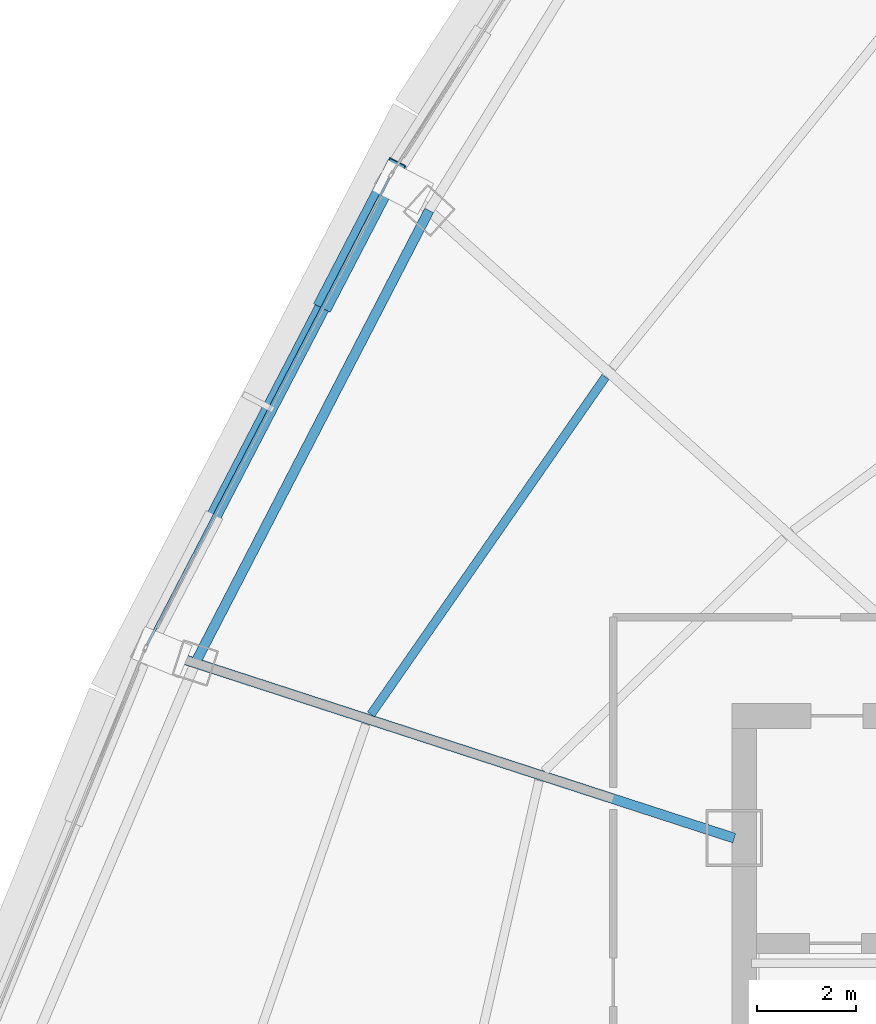
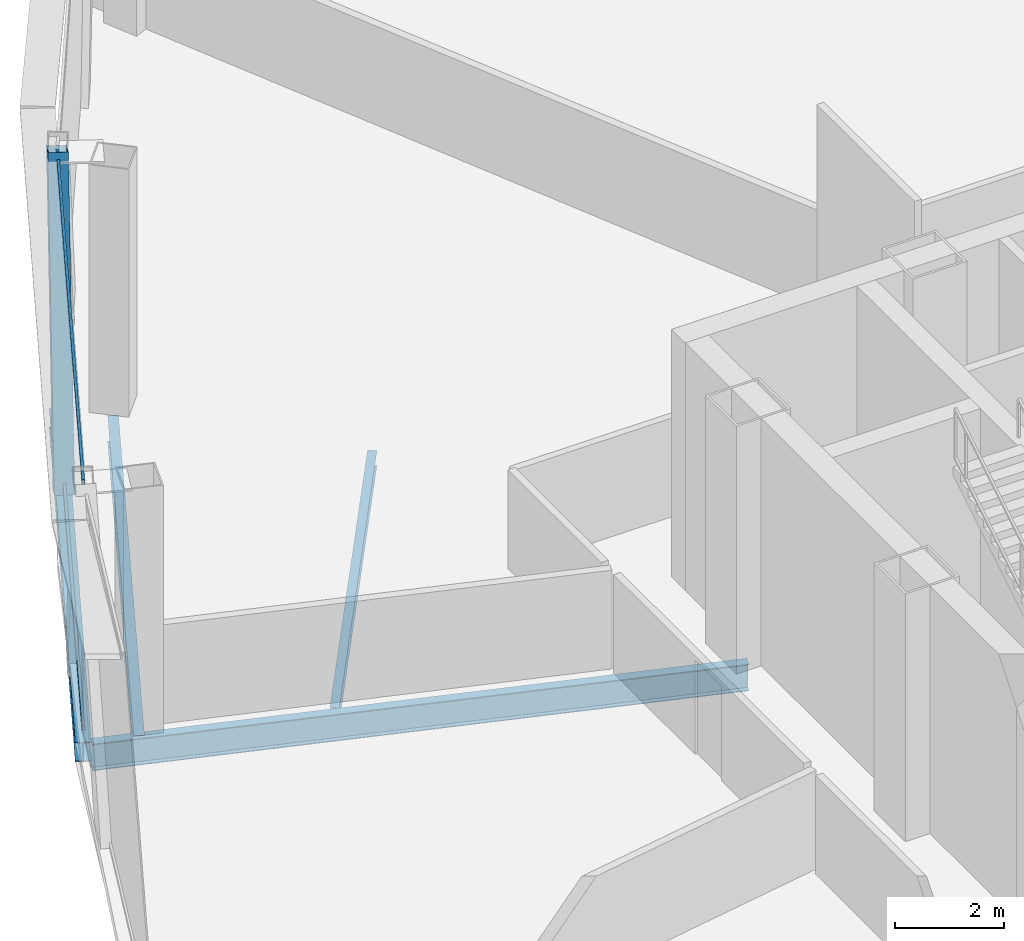
# One storey, part 9 of 33: 4 beams, 3 members, 1 element without a shape of its own.
"""IFC4 building model written with IfcOpenShell, lengths in metres."""

from ifc_helpers import new_model, si_unit, direction, frame, origin, origin_2d, place, context, subcontext, project, spatial, hollow_rectangle, i_section, extrude, source, transform, mapped, material, layer, layer_set, material_profile, profile_set, type_object, element, aggregate, save


model = new_model("IFC4")

# Units and contexts
model_context = context("Model", 3, precision=1e-05, world=origin(), true_north=direction((0.0, 1.0)))
body_context = subcontext(model_context, "Body", "Model", "MODEL_VIEW")
ifc_project = project(units=[si_unit("LENGTHUNIT", "METRE"), si_unit("AREAUNIT", "SQUARE_METRE"), si_unit("VOLUMEUNIT", "CUBIC_METRE"), si_unit("PLANEANGLEUNIT", "RADIAN"), si_unit("MASSUNIT", "GRAM", prefix="KILO"), si_unit("THERMODYNAMICTEMPERATUREUNIT", "KELVIN"), si_unit("POWERUNIT", "WATT")], contexts=[model_context])

# Site, building, storey
site_placement = place(None, origin())
site = spatial("IfcSite", under=ifc_project, at=site_placement, CompositionType="ELEMENT")
building_placement = place(site_placement, origin())
building = spatial("IfcBuilding", under=site, at=building_placement, Name="Yunzhuo Pagoda Commons", CompositionType="ELEMENT")
storey_placement = place(building_placement, frame((0.0, 0.0, 314.860107421875)))
storey = spatial("IfcBuildingStorey", under=building, at=storey_placement, Name="L79", CompositionType="ELEMENT", Elevation=314.860107421875)

# Beams
ifc_material_1 = material(Name="Structural steel Q355B", Category="steel")
ifc_material_profile_1 = material_profile(ifc_material_1, i_section(OverallWidth=0.199951171875, OverallDepth=0.60009765625, WebThickness=0.010986328125, FlangeThickness=0.01708984375, at=origin_2d()), Name="Structural steel Q355B")
ifc_profile_set_1 = profile_set([ifc_material_profile_1], Name="Structural steel Q355B")
beam_type_1 = type_object("IfcBeamType", Name="B-RG3 Beam HN 600x200x11x17", PredefinedType="BEAM", material=ifc_profile_set_1)
shared_shape_1 = source(origin(), body_context, "Body", "SweptSolid", [
    extrude(i_section(OverallWidth=0.199951171875, OverallDepth=0.60009765625, WebThickness=0.010986328125, FlangeThickness=0.01708984375, at=origin_2d()), origin(), (0.0, 0.0, 1.0), 10.3017578125),
])
beam_1_placement = place(storey_placement, frame((29.4267578125, 50.423583984375, -0.56005859375), z_axis=(-0.459070867827, -0.888399650108, 0.0), x_axis=(0.888399650108, -0.459070867827, 0.0)))
element("IfcBeam", 1, at=beam_1_placement, inside=storey, type_object=beam_type_1, Name="L79 column-ring beam 10", PredefinedType="BEAM", context=body_context, shape_type="MappedRepresentation", body=[
    mapped(shared_shape_1, transform((0.0, 0.0, 0.0), scale=1.0)),
])
ifc_material_profile_2 = material_profile(ifc_material_1, i_section(OverallWidth=0.175048828125, OverallDepth=0.35009765625, WebThickness=0.007080078125, FlangeThickness=0.010986328125, at=origin_2d()), Name="Structural steel Q355B")
ifc_profile_set_2 = profile_set([ifc_material_profile_2], Name="Structural steel Q355B")
beam_type_2 = type_object("IfcBeamType", Name="B-JS2 Joist HN 350x175x7x11", PredefinedType="JOIST", material=ifc_profile_set_2)
shared_shape_2 = source(origin(), body_context, "Body", "SweptSolid", [
    extrude(i_section(OverallWidth=0.175048828125, OverallDepth=0.35009765625, WebThickness=0.007080078125, FlangeThickness=0.010986328125, at=origin_2d()), origin(), (0.0, 0.0, 1.0), 8.31103515625),
])
beam_2_placement = place(storey_placement, frame((32.994384765625, 47.0576171875, -0.43505859375), z_axis=(-0.570615989364, -0.821217019236, 0.0), x_axis=(0.821217019236, -0.570615989364, 0.0)))
element("IfcBeam", 2, at=beam_2_placement, inside=storey, type_object=beam_type_2, Name="L79 composite ring joist 2.10", PredefinedType="JOIST", context=body_context, shape_type="MappedRepresentation", body=[
    mapped(shared_shape_2, transform((0.0, 0.0, 0.0), scale=1.0)),
])
shared_shape_3 = source(origin(), body_context, "Body", "SweptSolid", [
    extrude(i_section(OverallWidth=0.199951171875, OverallDepth=0.60009765625, WebThickness=0.010986328125, FlangeThickness=0.01708984375, at=origin_2d()), origin(), (0.0, 0.0, 1.0), 12.3583984375),
])
beam_3_placement = place(storey_placement, frame((23.8466796875, 41.548095703125, -0.56005859375), z_axis=(0.951052359283, -0.309029788049, 0.0), x_axis=(0.309029788049, 0.951052359283, 0.0)))
element("IfcBeam", 3, at=beam_3_placement, inside=storey, type_object=beam_type_1, Name="L79 radial floor girder F3C3", PredefinedType="BEAM", context=body_context, shape_type="MappedRepresentation", body=[
    mapped(shared_shape_3, transform((0.0, 0.0, 0.0), scale=1.0)),
])
ifc_material_profile_3 = material_profile(ifc_material_1, i_section(OverallWidth=0.300048828125, OverallDepth=0.43994140625, WebThickness=0.010986328125, FlangeThickness=0.01806640625, at=origin_2d()), Name="Structural steel Q355B")
ifc_profile_set_3 = profile_set([ifc_material_profile_3], Name="Structural steel Q355B")
beam_type_3 = type_object("IfcBeamType", Name="B-SP2 Beam HM 440x300x11x18", PredefinedType="BEAM", material=ifc_profile_set_3)
shared_shape_4 = source(origin(), body_context, "Body", "SweptSolid", [
    extrude(i_section(OverallWidth=0.300048828125, OverallDepth=0.43994140625, WebThickness=0.010986328125, FlangeThickness=0.01806640625, at=origin_2d()), origin(), (0.0, 0.0, 1.0), 10.73779296875),
])
beam_4_placement = place(storey_placement, frame((28.646484375, 51.1259765625, -0.480224609375), z_axis=(-0.460758444606, -0.887525580321, 0.0), x_axis=(0.887525580321, -0.460758444606, 0.0)))
element("IfcBeam", 4, at=beam_4_placement, inside=storey, type_object=beam_type_3, Name="L79 facade edge spandrel beam F3.2", PredefinedType="BEAM", context=body_context, shape_type="MappedRepresentation", body=[
    mapped(shared_shape_4, transform((0.0, 0.0, 0.0), scale=1.0)),
])

# Member
ifc_material_profile_4 = material_profile(ifc_material_1, hollow_rectangle(XDim=0.3798828125, YDim=0.719970703125, WallThickness=0.02001953125, at=origin_2d()), Name="Structural steel Q355B")
ifc_profile_set_4 = profile_set([ifc_material_profile_4], Name="Structural steel Q355B")
member_type_1 = type_object("IfcMemberType", Name="M-DL3 Brace BOX 720x380x20", PredefinedType="BRACE", material=ifc_profile_set_4)
shared_shape_5 = source(origin(), body_context, "Body", "SweptSolid", [
    extrude(hollow_rectangle(XDim=0.3798828125, YDim=0.719970703125, WallThickness=0.02001953125, at=origin_2d()), origin(), (0.0, 0.0, 1.0), 6.418212890625),
])
member_1_placement = place(storey_placement, frame((27.409423828125, 48.743408203125, -0.260009765625), z_axis=(0.192741139259, 0.371217836595, 0.908321623122), x_axis=(-0.887502513911, 0.460802873039, 0.0)))
element("IfcMember", 5, at=member_1_placement, inside=storey, type_object=member_type_1, Name="L79 facade diamond brace F3.2L", PredefinedType="BRACE", context=body_context, shape_type="MappedRepresentation", body=[
    mapped(shared_shape_5, transform((0.0, 0.0, 0.0), scale=1.0)),
])

# Curtain wall, members
ifc_material_2 = material(Name="Anodized aluminium 6063-T6", Category="aluminium")
ifc_layer = layer(ifc_material_2, 0.139892578125)
ifc_layer_set = layer_set([ifc_layer], Name="Anodized aluminium 6063-T6")
curtain_wall_type = type_object("IfcCurtainWallType", Name="CW-HI High-Zone Ribbon Curtain Wall", PredefinedType="NOTDEFINED", material=ifc_layer_set)
curtain_wall_placement = place(storey_placement, origin())
curtain_wall = element("IfcCurtainWall", 6, at=curtain_wall_placement, inside=storey, type_object=curtain_wall_type, Name="L79 curtain wall CW-L79-F3B3", PredefinedType="NOTDEFINED")
ifc_material_profile_5 = material_profile(ifc_material_2, hollow_rectangle(XDim=0.054931640625, YDim=0.1201171875, WallThickness=0.00341796875, at=origin_2d()), Name="Anodized aluminium 6063-T6")
ifc_profile_set_5 = profile_set([ifc_material_profile_5], Name="Anodized aluminium 6063-T6")
member_type_2 = type_object("IfcMemberType", Name="CW-HI-T Transom RHS 120x55x3.5", PredefinedType="USERDEFINED", material=ifc_profile_set_5)
shared_shape_6 = source(origin(), body_context, "Body", "SweptSolid", [
    extrude(hollow_rectangle(XDim=0.054931640625, YDim=0.1201171875, WallThickness=0.00341796875, at=origin_2d()), origin(), (0.0, 0.0, 1.0), 10.61767578125),
])
member_2_placement = place(storey_placement, frame((28.61865234375, 51.07275390625, 0.02734375), z_axis=(-0.460728544046, -0.887541102542, 0.0), x_axis=(0.887541102542, -0.460728544046, 0.0)))
member_2 = element("IfcMember", 7, at=member_2_placement, type_object=member_type_2, Name="CW transom 1.1", ObjectType="TRANSOM", PredefinedType="USERDEFINED", context=body_context, shape_type="MappedRepresentation", body=[
    mapped(shared_shape_6, transform((0.0, 0.0, 0.0), scale=1.0)),
])
member_3_placement = place(storey_placement, frame((28.61865234375, 51.07275390625, 5.54248046875), z_axis=(-0.460728544046, -0.887541102542, 0.0), x_axis=(0.887541102542, -0.460728544046, 0.0)))
member_3 = element("IfcMember", 8, at=member_3_placement, type_object=member_type_2, Name="CW transom 1.2", ObjectType="TRANSOM", PredefinedType="USERDEFINED", context=body_context, shape_type="MappedRepresentation", body=[
    mapped(shared_shape_6, transform((0.0, 0.0, 0.0), scale=1.0)),
])
aggregate(curtain_wall, [member_2, member_3])

save(model, "model.ifc")
